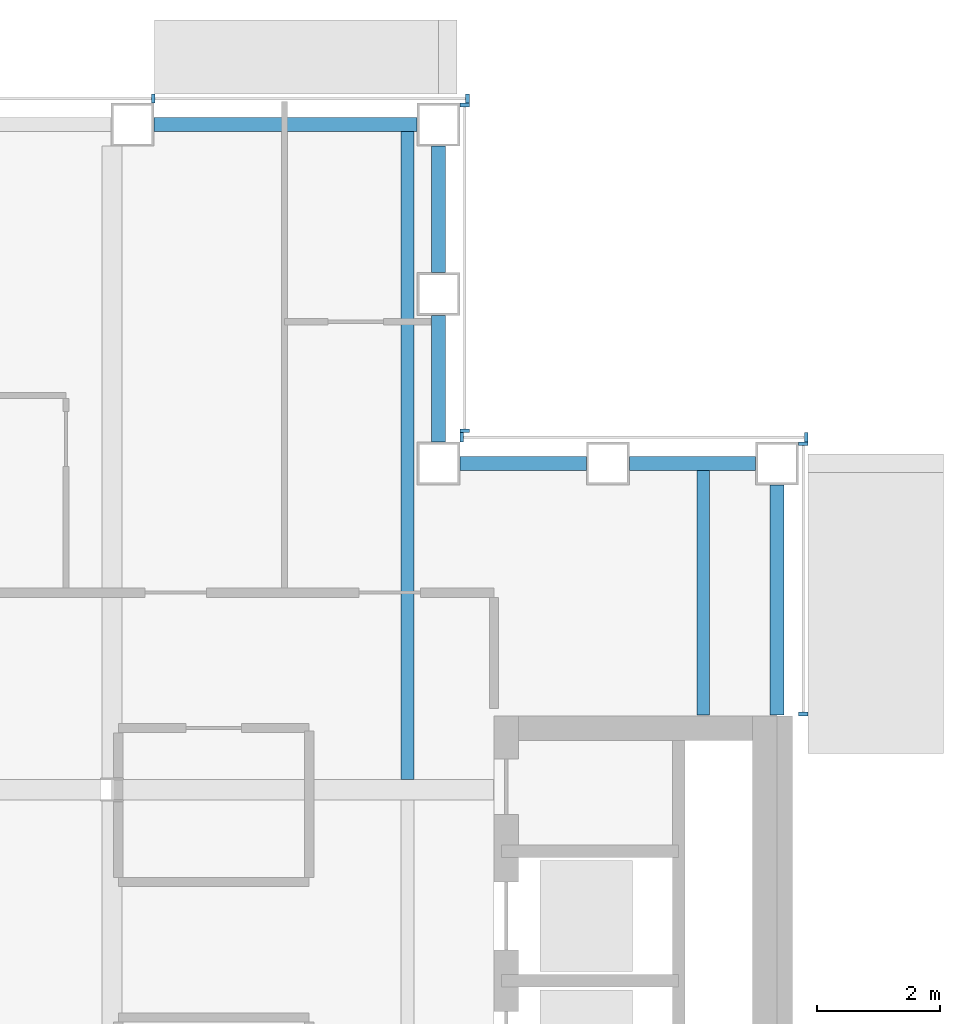
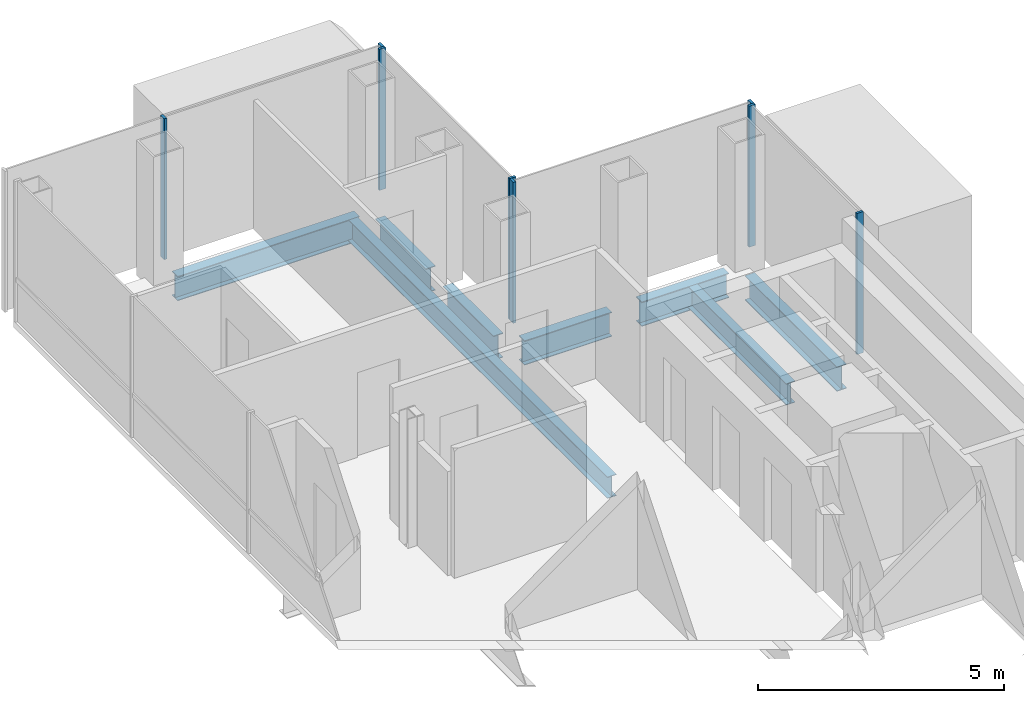
# One storey, part 8 of 17: 8 beams, 8 members, 4 elements without a shape of their own.
"""IFC4 building model written with IfcOpenShell, lengths in metres."""

from ifc_helpers import new_model, si_unit, direction, frame, origin, origin_2d, place, context, subcontext, project, spatial, rectangle, i_section, extrude, material, material_profile, profile_set, type_object, element, aggregate, save


model = new_model("IFC4")

# Units and contexts
model_context = context("Model", 3, precision=1e-05, world=origin(), true_north=direction((0.0, 1.0)))
body_context = subcontext(model_context, "Body", "Model", "MODEL_VIEW")
ifc_project = project(units=[si_unit("LENGTHUNIT", "METRE"), si_unit("AREAUNIT", "SQUARE_METRE"), si_unit("VOLUMEUNIT", "CUBIC_METRE"), si_unit("PLANEANGLEUNIT", "RADIAN"), si_unit("MASSUNIT", "GRAM", prefix="KILO")], contexts=[model_context])

# Site, building, storey
site_placement = place(None, origin())
site = spatial("IfcSite", under=ifc_project, at=site_placement, CompositionType="ELEMENT")
building_placement = place(site_placement, origin())
building = spatial("IfcBuilding", under=site, at=building_placement, Name="Cobrizo Arcos Hotel Tower", CompositionType="ELEMENT")
storey_placement = place(building_placement, frame((0.0, 0.0, 233.0)))
storey = spatial("IfcBuildingStorey", under=building, at=storey_placement, Name="L61", CompositionType="ELEMENT", Elevation=233.0)

# Curtain wall, members
ifc_material_1 = material(Name="Aluminium 6063-T6 anodised bronze", Category="aluminium")
curtain_wall_type = type_object("IfcCurtainWallType", Name="CW-A guest facade", PredefinedType="NOTDEFINED", material=ifc_material_1)
curtain_wall_1_placement = place(storey_placement, origin())
curtain_wall_1 = element("IfcCurtainWall", 1, at=curtain_wall_1_placement, inside=storey, type_object=curtain_wall_type, Name="CW-A L61 E face", PredefinedType="NOTDEFINED")
ifc_material_profile_1 = material_profile(ifc_material_1, rectangle(XDim=0.14990234375, YDim=0.06005859375, at=origin_2d()), Name="CW-A mullion 150x60")
ifc_profile_set_1 = profile_set([ifc_material_profile_1], Name="Aluminium 6063-T6 anodised bronze")
member_type = type_object("IfcMemberType", Name="CW-A mullion 150x60", PredefinedType="MULLION", material=ifc_profile_set_1)
member_1_placement = place(storey_placement, frame((20.824951171875, 10.830078125, 0.0), z_axis=(0.0, 0.0, 1.0), x_axis=(1.0, 0.0, 0.0)))
member_1 = element("IfcMember", 2, at=member_1_placement, type_object=member_type, Name="CW-A mullion 1", PredefinedType="MULLION", context=body_context, shape_type="SweptSolid", body=[
    extrude(rectangle(XDim=0.14990234375, YDim=0.06005859375, at=origin_2d()), origin(), (0.0, 0.0, 1.0), 3.5),
])
member_2_placement = place(storey_placement, frame((20.824951171875, 15.219970703125, 0.0), z_axis=(0.0, 0.0, 1.0), x_axis=(1.0, 0.0, 0.0)))
member_2 = element("IfcMember", 3, at=member_2_placement, type_object=member_type, Name="CW-A mullion 2", PredefinedType="MULLION", context=body_context, shape_type="SweptSolid", body=[
    extrude(rectangle(XDim=0.14990234375, YDim=0.06005859375, at=origin_2d()), origin(), (0.0, 0.0, 1.0), 3.5),
])
aggregate(curtain_wall_1, [member_1, member_2])

curtain_wall_2_placement = place(storey_placement, origin())
curtain_wall_2 = element("IfcCurtainWall", 4, at=curtain_wall_2_placement, inside=storey, type_object=curtain_wall_type, Name="CW-A L61 N face", PredefinedType="NOTDEFINED")
member_3_placement = place(storey_placement, frame((20.8701171875, 15.324951171875, 0.0), z_axis=(0.0, 0.0, 1.0), x_axis=(0.0, 1.0, 0.0)))
member_3 = element("IfcMember", 5, at=member_3_placement, type_object=member_type, Name="CW-A mullion 1", PredefinedType="MULLION", context=body_context, shape_type="SweptSolid", body=[
    extrude(rectangle(XDim=0.14990234375, YDim=0.06005859375, at=origin_2d()), origin(), (0.0, 0.0, 1.0), 3.5),
])
member_4_placement = place(storey_placement, frame((15.280029296875, 15.324951171875, 0.0), z_axis=(0.0, 0.0, 1.0), x_axis=(0.0, 1.0, 0.0)))
member_4 = element("IfcMember", 6, at=member_4_placement, type_object=member_type, Name="CW-A mullion 2", PredefinedType="MULLION", context=body_context, shape_type="SweptSolid", body=[
    extrude(rectangle(XDim=0.14990234375, YDim=0.06005859375, at=origin_2d()), origin(), (0.0, 0.0, 1.0), 3.5),
])
aggregate(curtain_wall_2, [member_3, member_4])

curtain_wall_3_placement = place(storey_placement, origin())
curtain_wall_3 = element("IfcCurtainWall", 7, at=curtain_wall_3_placement, inside=storey, type_object=curtain_wall_type, Name="CW-A L61 E face", PredefinedType="NOTDEFINED")
member_5_placement = place(storey_placement, frame((15.324951171875, 15.429931640625, 0.0), z_axis=(0.0, 0.0, 1.0), x_axis=(1.0, 0.0, 0.0)))
member_5 = element("IfcMember", 8, at=member_5_placement, type_object=member_type, Name="CW-A mullion 1", PredefinedType="MULLION", context=body_context, shape_type="SweptSolid", body=[
    extrude(rectangle(XDim=0.14990234375, YDim=0.06005859375, at=origin_2d()), origin(), (0.0, 0.0, 1.0), 3.5),
])
member_6_placement = place(storey_placement, frame((15.324951171875, 20.719970703125, 0.0), z_axis=(0.0, 0.0, 1.0), x_axis=(1.0, 0.0, 0.0)))
member_6 = element("IfcMember", 9, at=member_6_placement, type_object=member_type, Name="CW-A mullion 2", PredefinedType="MULLION", context=body_context, shape_type="SweptSolid", body=[
    extrude(rectangle(XDim=0.14990234375, YDim=0.06005859375, at=origin_2d()), origin(), (0.0, 0.0, 1.0), 3.5),
])
aggregate(curtain_wall_3, [member_5, member_6])

curtain_wall_4_placement = place(storey_placement, origin())
curtain_wall_4 = element("IfcCurtainWall", 10, at=curtain_wall_4_placement, inside=storey, type_object=curtain_wall_type, Name="CW-A L61 N face", PredefinedType="NOTDEFINED")
member_7_placement = place(storey_placement, frame((15.3701171875, 20.824951171875, 0.0), z_axis=(0.0, 0.0, 1.0), x_axis=(0.0, 1.0, 0.0)))
member_7 = element("IfcMember", 11, at=member_7_placement, type_object=member_type, Name="CW-A mullion 1", PredefinedType="MULLION", context=body_context, shape_type="SweptSolid", body=[
    extrude(rectangle(XDim=0.14990234375, YDim=0.06005859375, at=origin_2d()), origin(), (0.0, 0.0, 1.0), 3.5),
])
member_8_placement = place(storey_placement, frame((10.2666015625, 20.824951171875, 0.0), z_axis=(0.0, 0.0, 1.0), x_axis=(0.0, 1.0, 0.0)))
member_8 = element("IfcMember", 12, at=member_8_placement, type_object=member_type, Name="CW-A mullion 2", PredefinedType="MULLION", context=body_context, shape_type="SweptSolid", body=[
    extrude(rectangle(XDim=0.14990234375, YDim=0.06005859375, at=origin_2d()), origin(), (0.0, 0.0, 1.0), 3.5),
])
aggregate(curtain_wall_4, [member_7, member_8])

# Beams
ifc_material_2 = material(Name="Steel ASTM A992 Grade 50", Category="steel")
ifc_material_profile_2 = material_profile(ifc_material_2, i_section(OverallWidth=0.209228515625, OverallDepth=0.533447265625, WebThickness=0.01025390625, FlangeThickness=0.015625, at=origin_2d()), Name="W21X62")
ifc_profile_set_2 = profile_set([ifc_material_profile_2], Name="Steel ASTM A992 Grade 50")
beam_type_1 = type_object("IfcBeamType", Name="W21X62 joist", PredefinedType="JOIST", material=ifc_profile_set_2)
beam_1_placement = place(storey_placement, frame((14.39990234375, 9.763916015625, -0.416748046875), z_axis=(0.0, 1.0, 0.0), x_axis=(-1.0, 0.0, 0.0)))
element("IfcBeam", 13, at=beam_1_placement, inside=storey, type_object=beam_type_1, Name="Floor joist J1, L61, no. 010", PredefinedType="JOIST", context=body_context, shape_type="SweptSolid", body=[
    extrude(i_section(OverallWidth=0.209228515625, OverallDepth=0.533447265625, WebThickness=0.01025390625, FlangeThickness=0.015625, at=origin_2d()), origin(), (0.0, 0.0, 1.0), 10.546142578125),
])
beam_2_placement = place(storey_placement, frame((19.199951171875, 10.81005859375, -0.416748046875), z_axis=(0.0, 1.0, 0.0), x_axis=(-1.0, 0.0, 0.0)))
element("IfcBeam", 14, at=beam_2_placement, inside=storey, type_object=beam_type_1, Name="Floor joist J1, L61, no. 012", PredefinedType="JOIST", context=body_context, shape_type="SweptSolid", body=[
    extrude(i_section(OverallWidth=0.209228515625, OverallDepth=0.533447265625, WebThickness=0.01025390625, FlangeThickness=0.015625, at=origin_2d()), origin(), (0.0, 0.0, 1.0), 4.0),
])
ifc_material_profile_3 = material_profile(ifc_material_2, i_section(OverallWidth=0.228271484375, OverallDepth=0.607177734375, WebThickness=0.01123046875, FlangeThickness=0.017333984375, at=origin_2d()), Name="W24X76")
ifc_profile_set_3 = profile_set([ifc_material_profile_3], Name="Steel ASTM A992 Grade 50")
beam_type_2 = type_object("IfcBeamType", Name="W24X76 spandrel", PredefinedType="SPANDREL", material=ifc_profile_set_3)
for number, where, z_axis, x_axis, name in (
    (15, (15.25, 14.89990234375, -0.45361328125), (1.0, 0.0, 0.0), (0.0, 1.0, 0.0), "Spandrel beam W24X76, L61, no. 001"),
    (16, (18.0, 14.89990234375, -0.45361328125), (1.0, 0.0, 0.0), (0.0, 1.0, 0.0), "Spandrel beam W24X76, L61, no. 002"),
):
    element("IfcBeam", number, at=place(storey_placement, frame(where, z_axis=z_axis, x_axis=x_axis)), inside=storey, type_object=beam_type_2, Name=name, PredefinedType="SPANDREL", context=body_context, shape_type="SweptSolid", body=[
        extrude(i_section(OverallWidth=0.228271484375, OverallDepth=0.607177734375, WebThickness=0.01123046875, FlangeThickness=0.017333984375, at=origin_2d()), origin(), (0.0, 0.0, 1.0), 2.050048828125),
    ])
beam_3_placement = place(storey_placement, frame((20.39990234375, 14.550048828125, -0.45361328125), z_axis=(0.0, -1.0, 0.0), x_axis=(1.0, 0.0, 0.0)))
element("IfcBeam", 17, at=beam_3_placement, inside=storey, type_object=beam_type_2, Name="Spandrel beam W24X76, L61, no. 003", PredefinedType="SPANDREL", context=body_context, shape_type="SweptSolid", body=[
    extrude(i_section(OverallWidth=0.228271484375, OverallDepth=0.607177734375, WebThickness=0.01123046875, FlangeThickness=0.017333984375, at=origin_2d()), origin(), (0.0, 0.0, 1.0), 3.739990234375),
])
beam_4_placement = place(storey_placement, frame((10.282958984375, 20.39990234375, -0.45361328125), z_axis=(1.0, 0.0, 0.0), x_axis=(0.0, 1.0, 0.0)))
element("IfcBeam", 18, at=beam_4_placement, inside=storey, type_object=beam_type_2, Name="Spandrel beam W24X76, L61, no. 026", PredefinedType="SPANDREL", context=body_context, shape_type="SweptSolid", body=[
    extrude(i_section(OverallWidth=0.228271484375, OverallDepth=0.607177734375, WebThickness=0.01123046875, FlangeThickness=0.017333984375, at=origin_2d()), origin(), (0.0, 0.0, 1.0), 4.26708984375),
])
for number, where, z_axis, x_axis, name in (
    (19, (14.89990234375, 20.050048828125, -0.45361328125), (0.0, -1.0, 0.0), (1.0, 0.0, 0.0), "Spandrel beam W24X76, L61, no. 027"),
    (20, (14.89990234375, 17.300048828125, -0.45361328125), (0.0, -1.0, 0.0), (1.0, 0.0, 0.0), "Spandrel beam W24X76, L61, no. 028"),
):
    element("IfcBeam", number, at=place(storey_placement, frame(where, z_axis=z_axis, x_axis=x_axis)), inside=storey, type_object=beam_type_2, Name=name, PredefinedType="SPANDREL", context=body_context, shape_type="SweptSolid", body=[
        extrude(i_section(OverallWidth=0.228271484375, OverallDepth=0.607177734375, WebThickness=0.01123046875, FlangeThickness=0.017333984375, at=origin_2d()), origin(), (0.0, 0.0, 1.0), 2.050048828125),
    ])

save(model, "model.ifc")
